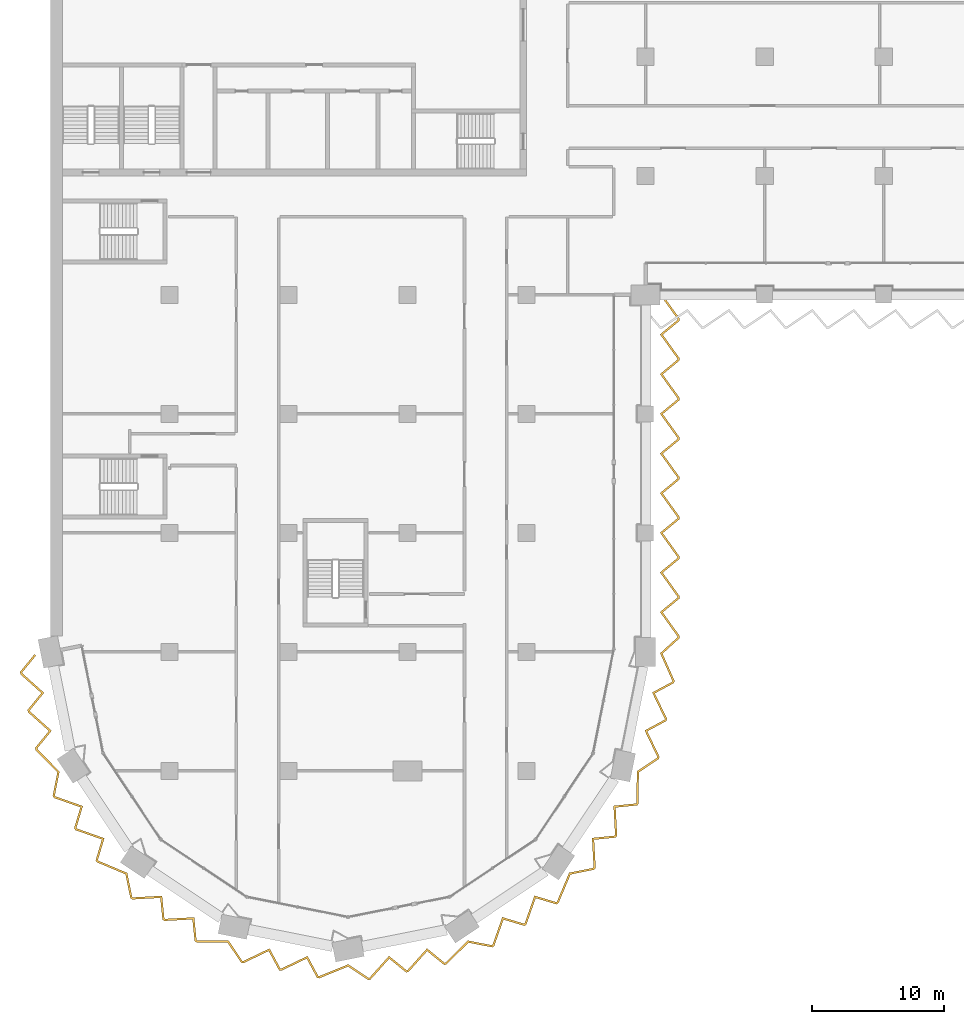
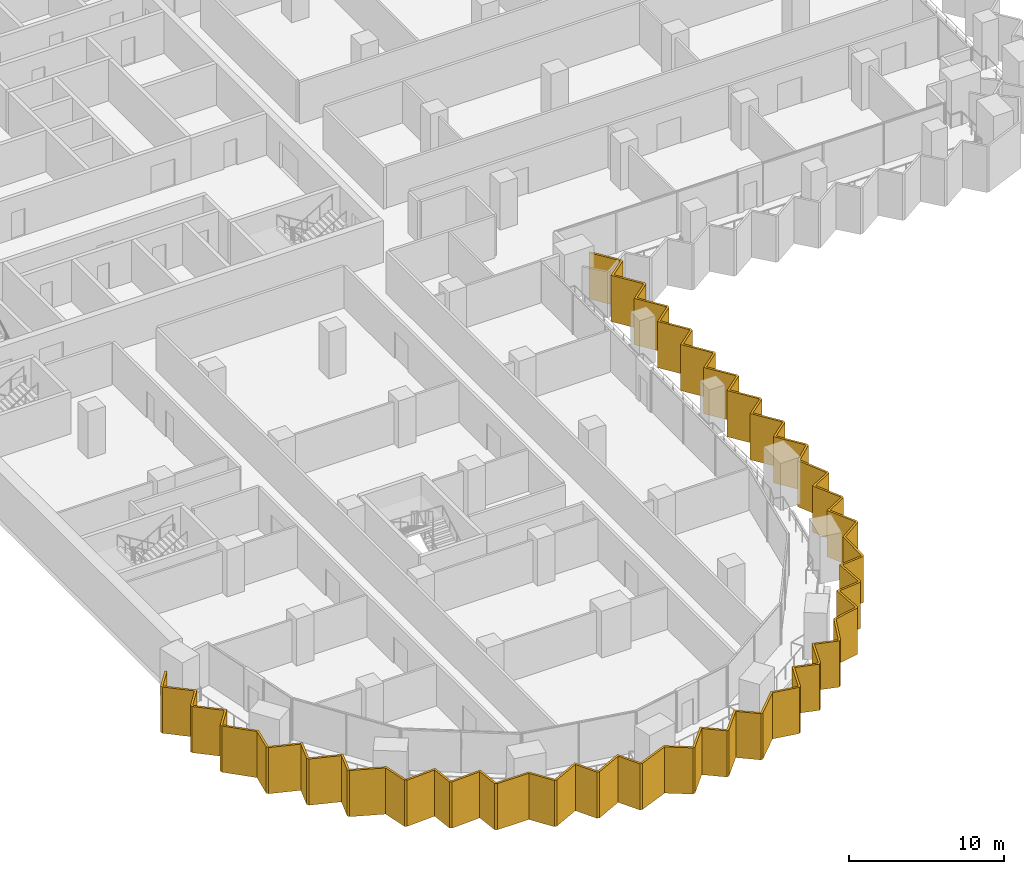
# One storey, part 19 of 23: 1 shading device.
"""IFC4 building model written with IfcOpenShell, lengths in metres."""

from ifc_helpers import new_model, si_unit, direction, frame, origin, place, context, subcontext, project, spatial, polyline, outline, extrude, material, layer, layer_set, type_object, element, save


model = new_model("IFC4")

# Units and contexts
model_context = context("Model", 3, precision=1e-05, world=origin(), true_north=direction((0.0, 1.0)))
body_context = subcontext(model_context, "Body", "Model", "MODEL_VIEW")
ifc_project = project(units=[si_unit("LENGTHUNIT", "METRE"), si_unit("AREAUNIT", "SQUARE_METRE"), si_unit("VOLUMEUNIT", "CUBIC_METRE"), si_unit("PLANEANGLEUNIT", "RADIAN"), si_unit("MASSUNIT", "GRAM", prefix="KILO")], contexts=[model_context])

# Site, building, storey
site_placement = place(None, origin())
site = spatial("IfcSite", under=ifc_project, at=site_placement, CompositionType="ELEMENT")
building_placement = place(site_placement, origin())
building = spatial("IfcBuilding", under=site, at=building_placement, Name="Hunhe Ridgeline Campus", CompositionType="ELEMENT")
storey_placement = place(building_placement, frame((0.0, 0.0, 107.0)))
storey = spatial("IfcBuildingStorey", under=building, at=storey_placement, Name="L26", CompositionType="ELEMENT", Elevation=107.0)

# Shading device
ifc_material = material(Name="Concrete C50", Category="concrete")
ifc_layer = layer(ifc_material, 0.14990234375)
ifc_layer_set = layer_set([ifc_layer], Name="Sawtooth concrete fin 150 Concrete C50")
shading_device_type = type_object("IfcShadingDeviceType", Name="Sawtooth concrete fin 150 Concrete C50", PredefinedType="USERDEFINED", material=ifc_layer_set)
shading_device_placement = place(storey_placement, frame((0.0, 0.0, -0.949951171875)))
element("IfcShadingDevice", 1, at=shading_device_placement, inside=storey, type_object=shading_device_type, Name="Concrete fin screen 1", ObjectType="FIN", PredefinedType="USERDEFINED", context=body_context, shape_type="SweptSolid", body=[
    extrude(outline(polyline([(-1.10791015625, 26.720703125), (-1.22412109375, 26.8154296875), (-2.312255859375, 25.482421875), (-2.277099609375, 25.3056640625), (-0.698486328125, 23.889892578125), (-1.741455078125, 22.6123046875), (-1.7060546875, 22.435546875), (-0.127685546875, 21.019775390625), (-1.17041015625, 19.7421875), (-1.1357421875, 19.56787109375), (0.51171875, 17.901123046875), (0.15966796875, 16.09912109375), (0.25732421875, 15.952880859375), (2.257568359375, 15.2490234375), (1.782958984375, 13.669677734375), (1.88330078125, 13.519775390625), (3.88330078125, 12.815673828125), (3.40869140625, 11.236328125), (3.507568359375, 11.088623046875), (5.667236328125, 10.17919921875), (6.03173828125, 8.379638671875), (6.177978515625, 8.281982421875), (8.29541015625, 8.39697265625), (8.461181640625, 6.75634765625), (8.611328125, 6.656005859375), (10.728515625, 6.771240234375), (10.89453125, 5.13037109375), (11.04248046875, 5.03173828125), (13.3857421875, 5.01806640625), (14.4111328125, 3.494873046875), (14.583740234375, 3.460693359375), (16.49560546875, 4.377197265625), (17.27685546875, 2.9248046875), (17.453857421875, 2.8896484375), (19.36572265625, 3.806396484375), (20.14697265625, 2.35400390625), (20.321533203125, 2.3193359375), (22.49169921875, 3.203369140625), (24.021728515625, 2.188720703125), (24.1943359375, 2.222900390625), (25.610107421875, 3.801513671875), (26.8876953125, 2.758544921875), (27.064453125, 2.7939453125), (28.480224609375, 4.372314453125), (29.7578125, 3.32958984375), (29.93212890625, 3.3642578125), (31.598876953125, 5.01171875), (33.40087890625, 4.65966796875), (33.547119140625, 4.75732421875), (34.2509765625, 6.757568359375), (35.830322265625, 6.282958984375), (35.980224609375, 6.38330078125), (36.684326171875, 8.38330078125), (38.263671875, 7.90869140625), (38.411376953125, 8.007568359375), (39.32080078125, 10.167236328125), (41.120361328125, 10.53173828125), (41.218017578125, 10.677978515625), (41.10302734375, 12.79541015625), (42.74365234375, 12.961181640625), (42.843994140625, 13.111328125), (42.728759765625, 15.228515625), (44.36962890625, 15.39453125), (44.46826171875, 15.54248046875), (44.48193359375, 17.8857421875), (46.005126953125, 18.9111328125), (46.039306640625, 19.083740234375), (45.122802734375, 20.99560546875), (46.5751953125, 21.77685546875), (46.6103515625, 21.953857421875), (45.693603515625, 23.86572265625), (47.14599609375, 24.64697265625), (47.180908203125, 24.822509765625), (46.279296875, 26.864013671875), (47.56396484375, 28.03955078125), (47.56396484375, 28.216796875), (46.290771484375, 29.98681640625), (47.56396484375, 31.037353515625), (47.56396484375, 31.216796875), (46.290771484375, 32.98681640625), (47.56396484375, 34.037353515625), (47.56396484375, 34.216796875), (46.290771484375, 35.98681640625), (47.56396484375, 37.037353515625), (47.56396484375, 37.216796875), (46.290771484375, 38.98681640625), (47.56396484375, 40.037353515625), (47.56396484375, 40.216796875), (46.290771484375, 41.98681640625), (47.56396484375, 43.037353515625), (47.56396484375, 43.216796875), (46.290771484375, 44.98681640625), (47.56396484375, 46.037353515625), (47.56396484375, 46.216796875), (46.290771484375, 47.98681640625), (47.56396484375, 49.037353515625), (47.56396484375, 49.216796875), (46.290771484375, 50.98681640625), (47.56396484375, 52.037353515625), (47.56396484375, 52.216796875), (46.249755859375, 54.043701171875), (46.1279296875, 53.956298828125), (47.413818359375, 52.16845703125), (47.413818359375, 52.10791015625), (46.0869140625, 51.01318359375), (47.413818359375, 49.16845703125), (47.413818359375, 49.10791015625), (46.0869140625, 48.01318359375), (47.413818359375, 46.16845703125), (47.413818359375, 46.10791015625), (46.0869140625, 45.01318359375), (47.413818359375, 43.16845703125), (47.413818359375, 43.10791015625), (46.0869140625, 42.01318359375), (47.413818359375, 40.16845703125), (47.413818359375, 40.10791015625), (46.0869140625, 39.01318359375), (47.413818359375, 37.16845703125), (47.413818359375, 37.10791015625), (46.0869140625, 36.01318359375), (47.413818359375, 34.16845703125), (47.413818359375, 34.10791015625), (46.0869140625, 33.01318359375), (47.413818359375, 31.16845703125), (47.413818359375, 31.10791015625), (46.0869140625, 30.01318359375), (47.413818359375, 28.16845703125), (47.413818359375, 28.105712890625), (46.098388671875, 26.90185546875), (47.024658203125, 24.805419921875), (47.0126953125, 24.74560546875), (45.49658203125, 23.93017578125), (46.453369140625, 21.93408203125), (46.44189453125, 21.87548828125), (44.925537109375, 21.06005859375), (45.882568359375, 19.06396484375), (45.8701171875, 19.0009765625), (44.33251953125, 17.9658203125), (44.318603515625, 15.58837890625), (44.2841796875, 15.53662109375), (42.5712890625, 15.36328125), (42.69140625, 13.153076171875), (42.658203125, 13.103515625), (40.9453125, 12.93017578125), (41.065673828125, 10.7197265625), (41.030029296875, 10.66650390625), (39.21337890625, 10.298583984375), (38.290771484375, 8.107421875), (38.239013671875, 8.07275390625), (36.59033203125, 8.568115234375), (35.85546875, 6.480224609375), (35.805908203125, 6.447021484375), (34.156982421875, 6.9423828125), (33.42236328125, 4.854248046875), (33.368896484375, 4.81884765625), (31.5498046875, 5.174072265625), (29.85888671875, 3.502685546875), (29.7978515625, 3.490478515625), (28.464111328125, 4.5791015625), (26.986328125, 2.93115234375), (26.927734375, 2.919677734375), (25.593994140625, 4.00830078125), (24.115966796875, 2.3603515625), (24.05322265625, 2.347900390625), (22.50830078125, 3.372314453125), (20.306640625, 2.47509765625), (20.24560546875, 2.4873046875), (19.43017578125, 4.00341796875), (17.43408203125, 3.046630859375), (17.37548828125, 3.05810546875), (16.56005859375, 4.574462890625), (14.56396484375, 3.617431640625), (14.5009765625, 3.6298828125), (13.4658203125, 5.16748046875), (11.08837890625, 5.181396484375), (11.03662109375, 5.2158203125), (10.86328125, 6.9287109375), (8.653076171875, 6.80859375), (8.603515625, 6.841796875), (8.43017578125, 8.5546875), (6.2197265625, 8.434326171875), (6.16650390625, 8.469970703125), (5.798583984375, 10.28662109375), (3.607421875, 11.209228515625), (3.57275390625, 11.260986328125), (4.068115234375, 12.90966796875), (1.980224609375, 13.64453125), (1.947021484375, 13.694091796875), (2.4423828125, 15.343017578125), (0.354248046875, 16.07763671875), (0.31884765625, 16.131103515625), (0.674072265625, 17.9501953125), (-0.997314453125, 19.64111328125), (-1.009521484375, 19.7021484375), (0.0791015625, 21.035888671875), (-1.56884765625, 22.513671875), (-1.580322265625, 22.572265625), (-0.49169921875, 23.906005859375), (-2.1396484375, 25.384033203125), (-2.1513671875, 25.4423828125), (-1.10791015625, 26.720703125)])), origin(), (0.0, 0.0, 1.0), 3.64990234375),
])

save(model, "model.ifc")
